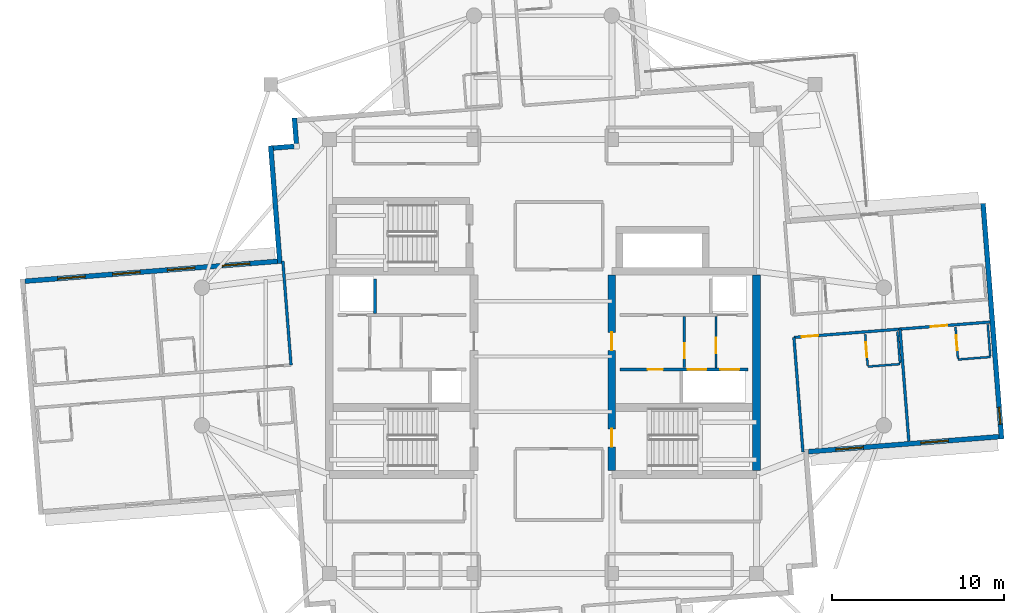
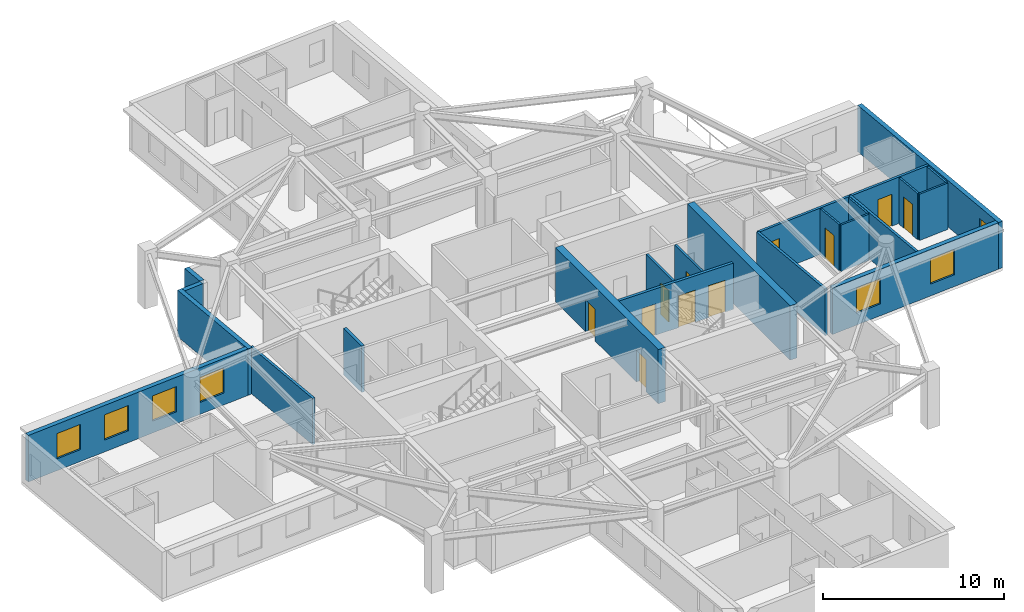
# One storey, part 6 of 13: 22 walls, 11 doors, 7 windows, 18 openings.
"""IFC4 building model written with IfcOpenShell, lengths in metres."""

from ifc_helpers import new_model, si_unit, direction, frame, frame_2d, origin, place, context, subcontext, project, spatial, rectangle, extrude, material, layer, layer_set, type_object, element, fill, save


model = new_model("IFC4")

# Units and contexts
model_context = context("Model", 3, precision=1e-05, world=origin(), true_north=direction((0.0, 1.0)))
body_context = subcontext(model_context, "Body", "Model", "MODEL_VIEW")
ifc_project = project(units=[si_unit("LENGTHUNIT", "METRE"), si_unit("AREAUNIT", "SQUARE_METRE"), si_unit("VOLUMEUNIT", "CUBIC_METRE"), si_unit("PLANEANGLEUNIT", "RADIAN"), si_unit("MASSUNIT", "GRAM", prefix="KILO")], contexts=[model_context])

# Site, building, storey
site_placement = place(None, origin())
site = spatial("IfcSite", under=ifc_project, at=site_placement, CompositionType="ELEMENT")
building_placement = place(site_placement, origin())
building = spatial("IfcBuilding", under=site, at=building_placement, Name="Qingluan Cross Belvedere", CompositionType="ELEMENT")
storey_placement = place(building_placement, frame((0.0, 0.0, 285.0)))
storey = spatial("IfcBuildingStorey", under=building, at=storey_placement, Name="L71", CompositionType="ELEMENT", Elevation=285.0)

# Wall, openings, doors
ifc_material_1 = material(Name="Concrete C50", Category="concrete")
ifc_layer_1 = layer(ifc_material_1, 0.449951171875, Name="CoreShearWall_450")
ifc_layer_set_1 = layer_set([ifc_layer_1], Name="Concrete C50")
wall_type_1 = type_object("IfcWallType", Name="CoreShearWall_450", PredefinedType="SHEAR", material=ifc_layer_set_1)
wall_1_placement = place(storey_placement, frame((4.0, -6.6201171875, 0.0), z_axis=(0.0, 0.0, 1.0), x_axis=(0.0, 1.0, 0.0)))
wall_1 = element("IfcWall", 1, at=wall_1_placement, inside=storey, type_object=wall_type_1, Name="Split core E shear wall L71-W", PredefinedType="SHEAR", context=body_context, shape_type="SweptSolid", body=[
    extrude(rectangle(XDim=11.340087890625, YDim=0.449951171875, at=frame_2d((5.669921875, 0.0))), origin(), (0.0, 0.0, 1.0), 3.64990234375),
])
opening_1_placement = place(wall_1_placement, frame((1.3701171875, 0.0, 0.0)))
opening_1 = element("IfcOpeningElement", 2, at=opening_1_placement, cuts=wall_1, Name="Opening FD-B11", PredefinedType="OPENING", context=body_context, shape_type="SweptSolid", body=[
    extrude(rectangle(XDim=1.050048828125, YDim=2.14990234375, at=frame_2d((0.52490234375, 1.074951171875))), frame((0.0, 0.23486328125, 0.0), z_axis=(0.0, -1.0, 0.0), x_axis=(1.0, 0.0, 0.0)), (0.0, 0.0, 1.0), 0.469970703125),
])
opening_2_placement = place(wall_1_placement, frame((6.969970703125, 0.0, 0.0)))
opening_2 = element("IfcOpeningElement", 3, at=opening_2_placement, cuts=wall_1, Name="Opening FD-B11", PredefinedType="OPENING", context=body_context, shape_type="SweptSolid", body=[
    extrude(rectangle(XDim=1.050048828125, YDim=2.14990234375, at=frame_2d((0.52490234375, 1.074951171875))), frame((0.0, 0.23486328125, 0.0), z_axis=(0.0, -1.0, 0.0), x_axis=(1.0, 0.0, 0.0)), (0.0, 0.0, 1.0), 0.469970703125),
])
ifc_material_2 = material(Name="Steel Class B smoke-seal fire door", Category="steel")
door_type_1 = type_object("IfcDoorType", Name="StairLobbyFireDoor_FDB", OperationType="NOTDEFINED", PredefinedType="DOOR", material=ifc_material_2)
door_1_placement = place(opening_1_placement, origin())
door_1 = element("IfcDoor", 4, at=door_1_placement, inside=storey, type_object=door_type_1, Name="Smoke-proof stair ST2 fire door L71", OperationType="SINGLE_SWING_RIGHT", OverallHeight=2.14990234375, OverallWidth=1.050048828125, PredefinedType="DOOR", context=body_context, shape_type="SweptSolid", body=[
    extrude(rectangle(XDim=1.050048828125, YDim=2.14990234375, at=frame_2d((0.52490234375, 1.074951171875))), frame((0.0, 0.02490234375, 0.0), z_axis=(0.0, -1.0, 0.0), x_axis=(1.0, 0.0, 0.0)), (0.0, 0.0, 1.0), 0.050048828125),
])
fill(opening_1, door_1)
door_2_placement = place(opening_2_placement, origin())
door_2 = element("IfcDoor", 5, at=door_2_placement, inside=storey, type_object=door_type_1, Name="Firefighting lobby East fire door L71", OperationType="SINGLE_SWING_RIGHT", OverallHeight=2.14990234375, OverallWidth=1.050048828125, PredefinedType="DOOR", context=body_context, shape_type="SweptSolid", body=[
    extrude(rectangle(XDim=1.050048828125, YDim=2.14990234375, at=frame_2d((0.52490234375, 1.074951171875))), frame((0.0, 0.02490234375, 0.0), z_axis=(0.0, -1.0, 0.0), x_axis=(1.0, 0.0, 0.0)), (0.0, 0.0, 1.0), 0.050048828125),
])
fill(opening_2, door_2)

# Wall
wall_2_placement = place(storey_placement, frame((12.39990234375, -6.6201171875, 0.0), z_axis=(0.0, 0.0, 1.0), x_axis=(0.0, 1.0, 0.0)))
element("IfcWall", 6, at=wall_2_placement, inside=storey, type_object=wall_type_1, Name="Split core E shear wall L71-E", PredefinedType="SHEAR", context=body_context, shape_type="SweptSolid", body=[
    extrude(rectangle(XDim=11.340087890625, YDim=0.449951171875, at=frame_2d((5.669921875, 0.0))), origin(), (0.0, 0.0, 1.0), 3.64990234375),
])

# Wall, opening, door
ifc_material_3 = material(Name="Gypsum plasterboard on steel stud acoustic partition", Category="steel")
ifc_layer_2 = layer(ifc_material_3, 0.159912109375, Name="CorridorPartition_160")
ifc_layer_set_2 = layer_set([ifc_layer_2], Name="Gypsum plasterboard on steel stud acoustic partition")
wall_type_2 = type_object("IfcWallType", Name="CorridorPartition_160", PredefinedType="PARTITIONING", material=ifc_layer_set_2)
wall_3_placement = place(storey_placement, frame((10.050048828125, -0.652099609375, 0.0), z_axis=(0.0, 0.0, 1.0), x_axis=(0.0, 1.0, 0.0)))
wall_3 = element("IfcWall", 7, at=wall_3_placement, inside=storey, type_object=wall_type_2, Name="Partition L71:ev", PredefinedType="PARTITIONING", context=body_context, shape_type="SweptSolid", body=[
    extrude(rectangle(XDim=2.962158203125, YDim=0.139892578125, at=frame_2d((1.48095703125, 0.0))), origin(), (0.0, 0.0, 1.0), 3.1201171875),
])
opening_3_placement = place(wall_3_placement, frame((0.85009765625, 0.0, 0.0)))
opening_3 = element("IfcOpeningElement", 8, at=opening_3_placement, cuts=wall_3, Name="Opening FD-B10", PredefinedType="OPENING", context=body_context, shape_type="SweptSolid", body=[
    extrude(rectangle(XDim=0.8798828125, YDim=2.10009765625, at=frame_2d((0.43994140625, 1.050048828125))), frame((0.0, 0.079833984375, 0.0), z_axis=(0.0, -1.0, 0.0), x_axis=(1.0, 0.0, 0.0)), (0.0, 0.0, 1.0), 0.159912109375),
])
ifc_material_4 = material(Name="Steel Class B service fire door", Category="steel")
door_type_2 = type_object("IfcDoorType", Name="RiserServiceFireDoor_FDB", OperationType="NOTDEFINED", PredefinedType="DOOR", material=ifc_material_4)
door_3_placement = place(opening_3_placement, origin())
door_3 = element("IfcDoor", 9, at=door_3_placement, inside=storey, type_object=door_type_2, Name="Service closet inner door L71", OperationType="SINGLE_SWING_LEFT", OverallHeight=2.10009765625, OverallWidth=0.8798828125, PredefinedType="DOOR", context=body_context, shape_type="SweptSolid", body=[
    extrude(rectangle(XDim=0.8798828125, YDim=2.10009765625, at=frame_2d((0.43994140625, 1.050048828125))), frame((0.0, 0.02490234375, 0.0), z_axis=(0.0, -1.0, 0.0), x_axis=(1.0, 0.0, 0.0)), (0.0, 0.0, 1.0), 0.050048828125),
])
fill(opening_3, door_3)

# Wall, openings, doors
wall_4_placement = place(storey_placement, frame((14.578125, 1.107177734375, 0.0), z_axis=(0.0, 0.0, 1.0), x_axis=(0.996916364518, 0.078471409795, 0.0)))
wall_4 = element("IfcWall", 10, at=wall_4_placement, inside=storey, type_object=wall_type_2, Name="Partition L71:E:c1", PredefinedType="PARTITIONING", context=body_context, shape_type="SweptSolid", body=[
    extrude(rectangle(XDim=11.411865234375, YDim=0.159912109375, at=frame_2d((5.7060546875, 0.0))), origin(), (0.0, 0.0, 1.0), 3.1201171875),
])
opening_4_placement = place(wall_4_placement, frame((0.449951171875, 0.0, 0.0)))
opening_4 = element("IfcOpeningElement", 11, at=opening_4_placement, cuts=wall_4, Name="Opening GD-10", PredefinedType="OPENING", context=body_context, shape_type="SweptSolid", body=[
    extrude(rectangle(XDim=0.9599609375, YDim=2.14990234375, at=frame_2d((0.47998046875, 1.074951171875))), frame((0.0, 0.08984375, 0.0), z_axis=(0.0, -1.0, 0.0), x_axis=(1.0, 0.0, 0.0)), (0.0, 0.0, 1.0), 0.179931640625),
])
opening_5_placement = place(wall_4_placement, frame((7.97412109375, 0.0, 0.0)))
opening_5 = element("IfcOpeningElement", 12, at=opening_5_placement, cuts=wall_4, Name="Opening GD-10", PredefinedType="OPENING", context=body_context, shape_type="SweptSolid", body=[
    extrude(rectangle(XDim=0.9599609375, YDim=2.14990234375, at=frame_2d((0.47998046875, 1.074951171875))), frame((0.0, 0.08984375, 0.0), z_axis=(0.0, -1.0, 0.0), x_axis=(1.0, 0.0, 0.0)), (0.0, 0.0, 1.0), 0.179931640625),
])
ifc_material_5 = material(Name="Timber oak fire-rated acoustic guestroom door", Category="wood")
door_type_3 = type_object("IfcDoorType", Name="GuestEntryDoor_FD60", OperationType="NOTDEFINED", PredefinedType="DOOR", material=ifc_material_5)
door_4_placement = place(opening_4_placement, origin())
door_4 = element("IfcDoor", 13, at=door_4_placement, inside=storey, type_object=door_type_3, Name="Guest entry fire door 7103", OperationType="SINGLE_SWING_RIGHT", OverallHeight=2.14990234375, OverallWidth=0.9599609375, PredefinedType="DOOR", context=body_context, shape_type="SweptSolid", body=[
    extrude(rectangle(XDim=0.9599609375, YDim=2.14990234375, at=frame_2d((0.47998046875, 1.074951171875))), frame((0.0, 0.02490234375, 0.0), z_axis=(0.0, -1.0, 0.0), x_axis=(1.0, 0.0, 0.0)), (0.0, 0.0, 1.0), 0.050048828125),
])
fill(opening_4, door_4)
door_5_placement = place(opening_5_placement, origin())
door_5 = element("IfcDoor", 14, at=door_5_placement, inside=storey, type_object=door_type_3, Name="Guest entry fire door 7104", OperationType="SINGLE_SWING_RIGHT", OverallHeight=2.14990234375, OverallWidth=0.9599609375, PredefinedType="DOOR", context=body_context, shape_type="SweptSolid", body=[
    extrude(rectangle(XDim=0.9599609375, YDim=2.14990234375, at=frame_2d((0.47998046875, 1.074951171875))), frame((0.0, 0.02490234375, 0.0), z_axis=(0.0, -1.0, 0.0), x_axis=(1.0, 0.0, 0.0)), (0.0, 0.0, 1.0), 0.050048828125),
])
fill(opening_5, door_5)

# Walls
wall_5_placement = place(storey_placement, frame((14.578125, 1.107177734375, 0.0), z_axis=(0.0, 0.0, 1.0), x_axis=(0.07846830514, -0.996916608894, 0.0)))
element("IfcWall", 15, at=wall_5_placement, inside=storey, type_object=wall_type_2, Name="Partition L71:E:s1", PredefinedType="PARTITIONING", context=body_context, shape_type="SweptSolid", body=[
    extrude(rectangle(XDim=6.679931640625, YDim=0.159912109375, at=frame_2d((3.33984375, 0.0))), origin(), (0.0, 0.0, 1.0), 3.1201171875),
])
wall_6_placement = place(storey_placement, frame((20.739013671875, 1.592041015625, 0.0), z_axis=(0.0, 0.0, 1.0), x_axis=(0.078451271919, -0.996917949449, 0.0)))
element("IfcWall", 16, at=wall_6_placement, inside=storey, type_object=wall_type_2, Name="Partition L71:E:d1_0", PredefinedType="PARTITIONING", context=body_context, shape_type="SweptSolid", body=[
    extrude(rectangle(XDim=6.531982421875, YDim=0.159912109375, at=frame_2d((3.26611328125, 0.0))), origin(), (0.0, 0.0, 1.0), 3.1201171875),
])
wall_7_placement = place(storey_placement, frame((-14.626708984375, -0.489013671875, 0.0), z_axis=(0.0, 0.0, 1.0), x_axis=(-0.078480167113, 0.996915675155, 0.0)))
element("IfcWall", 17, at=wall_7_placement, inside=storey, type_object=wall_type_2, Name="Partition L71:W:s0", PredefinedType="PARTITIONING", context=body_context, shape_type="SweptSolid", body=[
    extrude(rectangle(XDim=6.06005859375, YDim=0.159912109375, at=frame_2d((3.030029296875, 0.0))), origin(), (0.0, 0.0, 1.0), 3.1201171875),
])

# Wall, opening, door
ifc_material_6 = material(Name="Moisture-resistant gypsum board lining")
ifc_layer_3 = layer(ifc_material_6, 0.1201171875, Name="EnsuiteWetPartition_120")
ifc_layer_set_3 = layer_set([ifc_layer_3], Name="Moisture-resistant gypsum board lining")
wall_type_3 = type_object("IfcWallType", Name="EnsuiteWetPartition_120", PredefinedType="PARTITIONING", material=ifc_layer_set_3)
wall_8_placement = place(storey_placement, frame((18.859130859375, -0.52197265625, 0.0), z_axis=(0.0, 0.0, 1.0), x_axis=(-0.0784709492, 0.996916400774, 0.0)))
wall_8 = element("IfcWall", 18, at=wall_8_placement, inside=storey, type_object=wall_type_3, Name="Partition L71:E:bs1_0", PredefinedType="PARTITIONING", context=body_context, shape_type="SweptSolid", body=[
    extrude(rectangle(XDim=1.820068359375, YDim=0.1201171875, at=frame_2d((0.91015625, 0.0))), origin(), (0.0, 0.0, 1.0), 3.1201171875),
])
opening_6_placement = place(wall_8_placement, frame((0.469970703125, 0.0, 0.0)))
opening_6 = element("IfcOpeningElement", 19, at=opening_6_placement, cuts=wall_8, Name="Opening BD-09", PredefinedType="OPENING", context=body_context, shape_type="SweptSolid", body=[
    extrude(rectangle(XDim=0.8798828125, YDim=2.10009765625, at=frame_2d((0.43994140625, 1.050048828125))), frame((0.0, 0.070068359375, 0.0), z_axis=(0.0, -1.0, 0.0), x_axis=(1.0, 0.0, 0.0)), (0.0, 0.0, 1.0), 0.14013671875),
])
ifc_material_7 = material(Name="Moisture-sealed timber en-suite door", Category="wood")
door_type_4 = type_object("IfcDoorType", Name="BathroomDoor_880", OperationType="NOTDEFINED", PredefinedType="DOOR", material=ifc_material_7)
door_6_placement = place(opening_6_placement, origin())
door_6 = element("IfcDoor", 20, at=door_6_placement, inside=storey, type_object=door_type_4, Name="Bathroom door 7103", OperationType="SINGLE_SWING_LEFT", OverallHeight=2.10009765625, OverallWidth=0.8798828125, PredefinedType="DOOR", context=body_context, shape_type="SweptSolid", body=[
    extrude(rectangle(XDim=0.8798828125, YDim=2.10009765625, at=frame_2d((0.43994140625, 1.050048828125))), frame((0.0, 0.02490234375, 0.0), z_axis=(0.0, -1.0, 0.0), x_axis=(1.0, 0.0, 0.0)), (0.0, 0.0, 1.0), 0.050048828125),
])
fill(opening_6, door_6)

# Walls
wall_9_placement = place(storey_placement, frame((20.7333984375, -0.37451171875, 0.0), z_axis=(0.0, 0.0, 1.0), x_axis=(-0.0784709492, 0.996916400774, 0.0)))
element("IfcWall", 21, at=wall_9_placement, inside=storey, type_object=wall_type_3, Name="Partition L71:E:bw1_0", PredefinedType="PARTITIONING", context=body_context, shape_type="SweptSolid", body=[
    extrude(rectangle(XDim=1.820068359375, YDim=0.1201171875, at=frame_2d((0.91015625, 0.0))), origin(), (0.0, 0.0, 1.0), 3.1201171875),
])
wall_10_placement = place(storey_placement, frame((18.8642578125, -0.586669921875, 0.0), z_axis=(0.0, 0.0, 1.0), x_axis=(0.99691849475, 0.078444342213, 0.0)))
element("IfcWall", 22, at=wall_10_placement, inside=storey, type_object=wall_type_3, Name="Partition L71:E:bc1_0", PredefinedType="PARTITIONING", context=body_context, shape_type="SweptSolid", body=[
    extrude(rectangle(XDim=1.8798828125, YDim=0.1201171875, at=frame_2d((0.93994140625, 0.0))), origin(), (0.0, 0.0, 1.0), 3.1201171875),
])

# Wall, opening, door
wall_11_placement = place(storey_placement, frame((24.102783203125, -0.109130859375, 0.0), z_axis=(0.0, 0.0, 1.0), x_axis=(-0.078348112001, 0.996926062126, 0.0)))
wall_11 = element("IfcWall", 23, at=wall_11_placement, inside=storey, type_object=wall_type_3, Name="Partition L71:E:bs1_1", PredefinedType="PARTITIONING", context=body_context, shape_type="SweptSolid", body=[
    extrude(rectangle(XDim=1.81982421875, YDim=0.1201171875, at=frame_2d((0.909912109375, 0.0))), origin(), (0.0, 0.0, 1.0), 3.1201171875),
])
opening_7_placement = place(wall_11_placement, frame((0.469970703125, 0.0, 0.0)))
opening_7 = element("IfcOpeningElement", 24, at=opening_7_placement, cuts=wall_11, Name="Opening BD-09", PredefinedType="OPENING", context=body_context, shape_type="SweptSolid", body=[
    extrude(rectangle(XDim=0.8798828125, YDim=2.10009765625, at=frame_2d((0.43994140625, 1.050048828125))), frame((0.0, 0.070068359375, 0.0), z_axis=(0.0, -1.0, 0.0), x_axis=(1.0, 0.0, 0.0)), (0.0, 0.0, 1.0), 0.14013671875),
])
door_7_placement = place(opening_7_placement, origin())
door_7 = element("IfcDoor", 25, at=door_7_placement, inside=storey, type_object=door_type_4, Name="Bathroom door 7104", OperationType="SINGLE_SWING_LEFT", OverallHeight=2.10009765625, OverallWidth=0.8798828125, PredefinedType="DOOR", context=body_context, shape_type="SweptSolid", body=[
    extrude(rectangle(XDim=0.8798828125, YDim=2.10009765625, at=frame_2d((0.43994140625, 1.050048828125))), frame((0.0, 0.02490234375, 0.0), z_axis=(0.0, -1.0, 0.0), x_axis=(1.0, 0.0, 0.0)), (0.0, 0.0, 1.0), 0.050048828125),
])
fill(opening_7, door_7)

# Walls
wall_12_placement = place(storey_placement, frame((25.97705078125, 0.038330078125, 0.0), z_axis=(0.0, 0.0, 1.0), x_axis=(-0.078481444107, 0.996915574626, 0.0)))
element("IfcWall", 26, at=wall_12_placement, inside=storey, type_object=wall_type_3, Name="Partition L71:E:bw1_1", PredefinedType="PARTITIONING", context=body_context, shape_type="SweptSolid", body=[
    extrude(rectangle(XDim=1.81982421875, YDim=0.1201171875, at=frame_2d((0.909912109375, 0.0))), origin(), (0.0, 0.0, 1.0), 3.1201171875),
])
wall_13_placement = place(storey_placement, frame((24.10791015625, -0.174072265625, 0.0), z_axis=(0.0, 0.0, 1.0), x_axis=(0.996919293781, 0.07843418698, 0.0)))
element("IfcWall", 27, at=wall_13_placement, inside=storey, type_object=wall_type_3, Name="Partition L71:E:bc1_1", PredefinedType="PARTITIONING", context=body_context, shape_type="SweptSolid", body=[
    extrude(rectangle(XDim=1.880126953125, YDim=0.1201171875, at=frame_2d((0.93994140625, 0.0))), origin(), (0.0, 0.0, 1.0), 3.1201171875),
])

# Wall, openings, windows
ifc_material_8 = material(Name="Precast concrete C45", Category="concrete")
ifc_layer_4 = layer(ifc_material_8, 0.280029296875, Name="PrecastFacadeWall_280")
ifc_layer_set_4 = layer_set([ifc_layer_4], Name="Precast concrete C45")
wall_type_4 = type_object("IfcWallType", Name="PrecastFacadeWall_280", PredefinedType="STANDARD", material=ifc_layer_set_4)
wall_14_placement = place(storey_placement, frame((15.421142578125, -5.527099609375, 0.0), z_axis=(0.0, 0.0, 1.0), x_axis=(0.996917735529, 0.078453990262, 0.0)))
wall_14 = element("IfcWall", 28, at=wall_14_placement, inside=storey, type_object=wall_type_4, Name="Facade wall L71-EA", PredefinedType="STANDARD", context=body_context, shape_type="SweptSolid", body=[
    extrude(rectangle(XDim=11.10009765625, YDim=0.280029296875, at=frame_2d((5.550048828125, 0.0))), origin(), (0.0, 0.0, 1.0), 3.1298828125),
])
opening_8_placement = place(wall_14_placement, frame((1.60009765625, 0.0, 0.800048828125)))
opening_8 = element("IfcOpeningElement", 29, at=opening_8_placement, cuts=wall_14, Name="Opening W-04", PredefinedType="OPENING", context=body_context, shape_type="SweptSolid", body=[
    extrude(rectangle(XDim=1.60009765625, YDim=1.699951171875, at=frame_2d((0.800048828125, 0.85009765625))), frame((0.0, 0.14990234375, 0.0), z_axis=(0.0, -1.0, 0.0), x_axis=(1.0, 0.0, 0.0)), (0.0, 0.0, 1.0), 0.300048828125),
])
opening_9_placement = place(wall_14_placement, frame((6.550048828125, 0.0, 0.800048828125)))
opening_9 = element("IfcOpeningElement", 30, at=opening_9_placement, cuts=wall_14, Name="Opening W-04", PredefinedType="OPENING", context=body_context, shape_type="SweptSolid", body=[
    extrude(rectangle(XDim=1.60009765625, YDim=1.699951171875, at=frame_2d((0.800048828125, 0.85009765625))), frame((0.0, 0.14990234375, 0.0), z_axis=(0.0, -1.0, 0.0), x_axis=(1.0, 0.0, 0.0)), (0.0, 0.0, 1.0), 0.300048828125),
])
ifc_material_9 = material(Name="Thermally broken triple Low-E glass in aluminium frame", Category="aluminium")
window_type_1 = type_object("IfcWindowType", Name="SuiteCornerWin_1600x1700", PartitioningType="SINGLE_PANEL", PredefinedType="WINDOW", material=ifc_material_9)
window_1_placement = place(opening_8_placement, origin())
window_1 = element("IfcWindow", 31, at=window_1_placement, inside=storey, type_object=window_type_1, Name="Ribbon window L71-EA-1", OverallHeight=1.699951171875, OverallWidth=1.60009765625, PartitioningType="SINGLE_PANEL", PredefinedType="WINDOW", context=body_context, shape_type="SweptSolid", body=[
    extrude(rectangle(XDim=1.60009765625, YDim=1.699951171875, at=frame_2d((0.800048828125, 0.85009765625))), frame((0.0, 0.030029296875, 0.0), z_axis=(0.0, -1.0, 0.0), x_axis=(1.0, 0.0, 0.0)), (0.0, 0.0, 1.0), 0.06005859375),
])
fill(opening_8, window_1)
window_2_placement = place(opening_9_placement, origin())
window_2 = element("IfcWindow", 32, at=window_2_placement, inside=storey, type_object=window_type_1, Name="Ribbon window L71-EA-2", OverallHeight=1.699951171875, OverallWidth=1.60009765625, PartitioningType="SINGLE_PANEL", PredefinedType="WINDOW", context=body_context, shape_type="SweptSolid", body=[
    extrude(rectangle(XDim=1.60009765625, YDim=1.699951171875, at=frame_2d((0.800048828125, 0.85009765625))), frame((0.0, 0.030029296875, 0.0), z_axis=(0.0, -1.0, 0.0), x_axis=(1.0, 0.0, 0.0)), (0.0, 0.0, 1.0), 0.06005859375),
])
fill(opening_9, window_2)

# Wall, opening, window
wall_15_placement = place(storey_placement, frame((26.637451171875, -4.784912109375, 0.0), z_axis=(0.0, 0.0, 1.0), x_axis=(-0.078455834216, 0.996917590414, 0.0)))
wall_15 = element("IfcWall", 33, at=wall_15_placement, inside=storey, type_object=wall_type_4, Name="Arm tip precast facade wall L71-E", PredefinedType="STANDARD", context=body_context, shape_type="SweptSolid", body=[
    extrude(rectangle(XDim=13.719970703125, YDim=0.280029296875, at=frame_2d((6.85986328125, 0.0))), origin(), (0.0, 0.0, 1.0), 3.1298828125),
])
opening_10_placement = place(wall_15_placement, frame((0.85009765625, 0.0, 0.85009765625)))
opening_10 = element("IfcOpeningElement", 34, at=opening_10_placement, cuts=wall_15, Name="Opening W-03", PredefinedType="OPENING", context=body_context, shape_type="SweptSolid", body=[
    extrude(rectangle(XDim=1.0, YDim=1.5, at=frame_2d((0.5, 0.75))), frame((0.0, 0.14990234375, 0.0), z_axis=(0.0, -1.0, 0.0), x_axis=(1.0, 0.0, 0.0)), (0.0, 0.0, 1.0), 0.300048828125),
])
ifc_material_10 = material(Name="Thermally broken triple Low-E glass in aluminium frame", Category="aluminium")
window_type_2 = type_object("IfcWindowType", Name="TriApexWin_1000x1500", PartitioningType="SINGLE_PANEL", PredefinedType="WINDOW", material=ifc_material_10)
window_3_placement = place(opening_10_placement, origin())
window_3 = element("IfcWindow", 35, at=window_3_placement, inside=storey, type_object=window_type_2, Name="Arm tip triangular window L71-E", OverallHeight=1.5, OverallWidth=1.0, PartitioningType="SINGLE_PANEL", PredefinedType="WINDOW", context=body_context, shape_type="SweptSolid", body=[
    extrude(rectangle(XDim=1.0, YDim=1.5, at=frame_2d((0.5, 0.75))), frame((0.0, 0.030029296875, 0.0), z_axis=(0.0, -1.0, 0.0), x_axis=(1.0, 0.0, 0.0)), (0.0, 0.0, 1.0), 0.06005859375),
])
fill(opening_10, window_3)

# Wall, openings, windows
wall_16_placement = place(storey_placement, frame((-15.421142578125, 5.527099609375, 0.0), z_axis=(0.0, 0.0, 1.0), x_axis=(-0.996917526837, -0.078456642068, 0.0)))
wall_16 = element("IfcWall", 36, at=wall_16_placement, inside=storey, type_object=wall_type_4, Name="Facade wall L71-WA", PredefinedType="STANDARD", context=body_context, shape_type="SweptSolid", body=[
    extrude(rectangle(XDim=14.7001953125, YDim=0.280029296875, at=frame_2d((7.35009765625, 0.0))), origin(), (0.0, 0.0, 1.0), 3.1298828125),
])
opening_11_placement = place(wall_16_placement, frame((1.60009765625, 0.0, 0.800048828125)))
opening_11 = element("IfcOpeningElement", 37, at=opening_11_placement, cuts=wall_16, Name="Opening W-04", PredefinedType="OPENING", context=body_context, shape_type="SweptSolid", body=[
    extrude(rectangle(XDim=1.60009765625, YDim=1.699951171875, at=frame_2d((0.800048828125, 0.85009765625))), frame((0.0, 0.14990234375, 0.0), z_axis=(0.0, -1.0, 0.0), x_axis=(1.0, 0.0, 0.0)), (0.0, 0.0, 1.0), 0.300048828125),
])
opening_12_placement = place(wall_16_placement, frame((4.800048828125, 0.0, 0.800048828125)))
opening_12 = element("IfcOpeningElement", 38, at=opening_12_placement, cuts=wall_16, Name="Opening W-04", PredefinedType="OPENING", context=body_context, shape_type="SweptSolid", body=[
    extrude(rectangle(XDim=1.60009765625, YDim=1.699951171875, at=frame_2d((0.800048828125, 0.85009765625))), frame((0.0, 0.14990234375, 0.0), z_axis=(0.0, -1.0, 0.0), x_axis=(1.0, 0.0, 0.0)), (0.0, 0.0, 1.0), 0.300048828125),
])
opening_13_placement = place(wall_16_placement, frame((8.0, 0.0, 0.800048828125)))
opening_13 = element("IfcOpeningElement", 39, at=opening_13_placement, cuts=wall_16, Name="Opening W-04", PredefinedType="OPENING", context=body_context, shape_type="SweptSolid", body=[
    extrude(rectangle(XDim=1.60009765625, YDim=1.699951171875, at=frame_2d((0.800048828125, 0.85009765625))), frame((0.0, 0.14990234375, 0.0), z_axis=(0.0, -1.0, 0.0), x_axis=(1.0, 0.0, 0.0)), (0.0, 0.0, 1.0), 0.300048828125),
])
opening_14_placement = place(wall_16_placement, frame((11.199951171875, 0.0, 0.800048828125)))
opening_14 = element("IfcOpeningElement", 40, at=opening_14_placement, cuts=wall_16, Name="Opening W-04", PredefinedType="OPENING", context=body_context, shape_type="SweptSolid", body=[
    extrude(rectangle(XDim=1.60009765625, YDim=1.699951171875, at=frame_2d((0.800048828125, 0.85009765625))), frame((0.0, 0.14990234375, 0.0), z_axis=(0.0, -1.0, 0.0), x_axis=(1.0, 0.0, 0.0)), (0.0, 0.0, 1.0), 0.300048828125),
])
window_4_placement = place(opening_11_placement, origin())
window_4 = element("IfcWindow", 41, at=window_4_placement, inside=storey, type_object=window_type_1, Name="Ribbon window L71-WA-1", OverallHeight=1.699951171875, OverallWidth=1.60009765625, PartitioningType="SINGLE_PANEL", PredefinedType="WINDOW", context=body_context, shape_type="SweptSolid", body=[
    extrude(rectangle(XDim=1.60009765625, YDim=1.699951171875, at=frame_2d((0.800048828125, 0.85009765625))), frame((0.0, 0.030029296875, 0.0), z_axis=(0.0, -1.0, 0.0), x_axis=(1.0, 0.0, 0.0)), (0.0, 0.0, 1.0), 0.06005859375),
])
fill(opening_11, window_4)
window_5_placement = place(opening_12_placement, origin())
window_5 = element("IfcWindow", 42, at=window_5_placement, inside=storey, type_object=window_type_1, Name="Ribbon window L71-WA-2", OverallHeight=1.699951171875, OverallWidth=1.60009765625, PartitioningType="SINGLE_PANEL", PredefinedType="WINDOW", context=body_context, shape_type="SweptSolid", body=[
    extrude(rectangle(XDim=1.60009765625, YDim=1.699951171875, at=frame_2d((0.800048828125, 0.85009765625))), frame((0.0, 0.030029296875, 0.0), z_axis=(0.0, -1.0, 0.0), x_axis=(1.0, 0.0, 0.0)), (0.0, 0.0, 1.0), 0.06005859375),
])
fill(opening_12, window_5)
window_6_placement = place(opening_13_placement, origin())
window_6 = element("IfcWindow", 43, at=window_6_placement, inside=storey, type_object=window_type_1, Name="Ribbon window L71-WA-3", OverallHeight=1.699951171875, OverallWidth=1.60009765625, PartitioningType="SINGLE_PANEL", PredefinedType="WINDOW", context=body_context, shape_type="SweptSolid", body=[
    extrude(rectangle(XDim=1.60009765625, YDim=1.699951171875, at=frame_2d((0.800048828125, 0.85009765625))), frame((0.0, 0.030029296875, 0.0), z_axis=(0.0, -1.0, 0.0), x_axis=(1.0, 0.0, 0.0)), (0.0, 0.0, 1.0), 0.06005859375),
])
fill(opening_13, window_6)
window_7_placement = place(opening_14_placement, origin())
window_7 = element("IfcWindow", 44, at=window_7_placement, inside=storey, type_object=window_type_1, Name="Ribbon window L71-WA-4", OverallHeight=1.699951171875, OverallWidth=1.60009765625, PartitioningType="SINGLE_PANEL", PredefinedType="WINDOW", context=body_context, shape_type="SweptSolid", body=[
    extrude(rectangle(XDim=1.60009765625, YDim=1.699951171875, at=frame_2d((0.800048828125, 0.85009765625))), frame((0.0, 0.030029296875, 0.0), z_axis=(0.0, -1.0, 0.0), x_axis=(1.0, 0.0, 0.0)), (0.0, 0.0, 1.0), 0.06005859375),
])
fill(opening_14, window_7)

# Walls
wall_17_placement = place(storey_placement, frame((-15.2705078125, 5.3984375, 0.0), z_axis=(0.0, 0.0, 1.0), x_axis=(-0.078473519122, 0.996916198482, 0.0)))
element("IfcWall", 45, at=wall_17_placement, inside=storey, type_object=wall_type_4, Name="Corner wall L71-NW1", PredefinedType="STANDARD", context=body_context, shape_type="SweptSolid", body=[
    extrude(rectangle(XDim=6.860107421875, YDim=0.280029296875, at=frame_2d((3.43017578125, 0.0))), origin(), (0.0, 0.0, 1.0), 3.1298828125),
])
wall_18_placement = place(storey_placement, frame((-15.658203125, 12.10888671875, 0.0), z_axis=(0.0, 0.0, 1.0), x_axis=(0.996917540398, 0.078456469752, 0.0)))
element("IfcWall", 46, at=wall_18_placement, inside=storey, type_object=wall_type_4, Name="Corner wall L71-NW2", PredefinedType="STANDARD", context=body_context, shape_type="SweptSolid", body=[
    extrude(rectangle(XDim=1.2197265625, YDim=0.280029296875, at=frame_2d((0.60986328125, 0.0))), origin(), (0.0, 0.0, 1.0), 3.1298828125),
])
wall_19_placement = place(storey_placement, frame((-14.3134765625, 12.35498046875, 0.0), z_axis=(0.0, 0.0, 1.0), x_axis=(-0.078451338629, 0.9969179442, 0.0)))
element("IfcWall", 47, at=wall_19_placement, inside=storey, type_object=wall_type_4, Name="Corner wall L71-NW3", PredefinedType="STANDARD", context=body_context, shape_type="SweptSolid", body=[
    extrude(rectangle(XDim=1.5, YDim=0.280029296875, at=frame_2d((0.75, 0.0))), origin(), (0.0, 0.0, 1.0), 3.1298828125),
])

# Wall, openings, doors
ifc_material_11 = material(Name="Concrete C40", Category="concrete")
ifc_layer_5 = layer(ifc_material_11, 0.219970703125, Name="ShaftEnclosureWall_250")
ifc_layer_set_5 = layer_set([ifc_layer_5], Name="Concrete C40")
wall_type_5 = type_object("IfcWallType", Name="ShaftEnclosureWall_250", PredefinedType="SOLIDWALL", material=ifc_layer_set_5)
wall_20_placement = place(storey_placement, frame((4.47998046875, -0.75, 0.0), z_axis=(0.0, 0.0, 1.0), x_axis=(1.0, 0.0, 0.0)))
wall_20 = element("IfcWall", 48, at=wall_20_placement, inside=storey, type_object=wall_type_5, Name="Core-E mid hoistway wall L71", PredefinedType="SOLIDWALL", context=body_context, shape_type="SweptSolid", body=[
    extrude(rectangle(XDim=7.419921875, YDim=0.179931640625, at=frame_2d((3.7099609375, 0.0))), origin(), (0.0, 0.0, 1.0), 3.1201171875),
])
opening_15_placement = place(wall_20_placement, frame((3.919921875, 0.0, 0.0)))
opening_15 = element("IfcOpeningElement", 49, at=opening_15_placement, cuts=wall_20, Name="Opening LD-11", PredefinedType="OPENING", context=body_context, shape_type="SweptSolid", body=[
    extrude(rectangle(XDim=1.10009765625, YDim=2.14990234375, at=frame_2d((0.550048828125, 1.074951171875))), frame((0.0, 0.099853515625, 0.0), z_axis=(0.0, -1.0, 0.0), x_axis=(1.0, 0.0, 0.0)), (0.0, 0.0, 1.0), 0.199951171875),
])
opening_16_placement = place(wall_20_placement, frame((5.820068359375, 0.0, 0.0)))
opening_16 = element("IfcOpeningElement", 50, at=opening_16_placement, cuts=wall_20, Name="Opening LD-11", PredefinedType="OPENING", context=body_context, shape_type="SweptSolid", body=[
    extrude(rectangle(XDim=1.10009765625, YDim=2.14990234375, at=frame_2d((0.550048828125, 1.074951171875))), frame((0.0, 0.099853515625, 0.0), z_axis=(0.0, -1.0, 0.0), x_axis=(1.0, 0.0, 0.0)), (0.0, 0.0, 1.0), 0.199951171875),
])
opening_17_placement = place(wall_20_placement, frame((1.60009765625, 0.0, 0.0)))
opening_17 = element("IfcOpeningElement", 51, at=opening_17_placement, cuts=wall_20, Name="Opening FD-B10", PredefinedType="OPENING", context=body_context, shape_type="SweptSolid", body=[
    extrude(rectangle(XDim=0.8798828125, YDim=2.10009765625, at=frame_2d((0.43994140625, 1.050048828125))), frame((0.0, 0.099853515625, 0.0), z_axis=(0.0, -1.0, 0.0), x_axis=(1.0, 0.0, 0.0)), (0.0, 0.0, 1.0), 0.199951171875),
])
ifc_material_12 = material(Name="Brushed stainless steel centre-opening lift landing door", Category="steel")
door_type_5 = type_object("IfcDoorType", Name="LiftLandingSlidingDoor_1100", OperationType="DOUBLE_DOOR_SLIDING", PredefinedType="DOOR", material=ifc_material_12)
door_8_placement = place(opening_15_placement, origin())
door_8 = element("IfcDoor", 52, at=door_8_placement, inside=storey, type_object=door_type_5, Name="Lift landing sliding door LP9 L71", OperationType="DOUBLE_DOOR_SLIDING", OverallHeight=2.14990234375, OverallWidth=1.10009765625, PredefinedType="DOOR", context=body_context, shape_type="SweptSolid", body=[
    extrude(rectangle(XDim=1.10009765625, YDim=2.14990234375, at=frame_2d((0.550048828125, 1.074951171875))), frame((0.0, 0.02490234375, 0.0), z_axis=(0.0, -1.0, 0.0), x_axis=(1.0, 0.0, 0.0)), (0.0, 0.0, 1.0), 0.050048828125),
])
fill(opening_15, door_8)
door_9_placement = place(opening_16_placement, origin())
door_9 = element("IfcDoor", 53, at=door_9_placement, inside=storey, type_object=door_type_5, Name="Lift landing sliding door LP10 L71", OperationType="DOUBLE_DOOR_SLIDING", OverallHeight=2.14990234375, OverallWidth=1.10009765625, PredefinedType="DOOR", context=body_context, shape_type="SweptSolid", body=[
    extrude(rectangle(XDim=1.10009765625, YDim=2.14990234375, at=frame_2d((0.550048828125, 1.074951171875))), frame((0.0, 0.02490234375, 0.0), z_axis=(0.0, -1.0, 0.0), x_axis=(1.0, 0.0, 0.0)), (0.0, 0.0, 1.0), 0.050048828125),
])
fill(opening_16, door_9)
door_10_placement = place(opening_17_placement, origin())
door_10 = element("IfcDoor", 54, at=door_10_placement, inside=storey, type_object=door_type_2, Name="Upper-zone linen store door L71", OperationType="SINGLE_SWING_LEFT", OverallHeight=2.10009765625, OverallWidth=0.8798828125, PredefinedType="DOOR", context=body_context, shape_type="SweptSolid", body=[
    extrude(rectangle(XDim=0.8798828125, YDim=2.10009765625, at=frame_2d((0.43994140625, 1.050048828125))), frame((0.0, 0.02490234375, 0.0), z_axis=(0.0, -1.0, 0.0), x_axis=(1.0, 0.0, 0.0)), (0.0, 0.0, 1.0), 0.050048828125),
])
fill(opening_17, door_10)

# Wall
wall_21_placement = place(storey_placement, frame((-9.760009765625, 2.5, 0.0), z_axis=(0.0, 0.0, 1.0), x_axis=(0.0, 1.0, 0.0)))
element("IfcWall", 55, at=wall_21_placement, inside=storey, type_object=wall_type_5, Name="Hoistway enclosure divider FL1E L71", PredefinedType="SOLIDWALL", context=body_context, shape_type="SweptSolid", body=[
    extrude(rectangle(XDim=1.989990234375, YDim=0.179931640625, at=frame_2d((0.9951171875, 0.0))), origin(), (0.0, 0.0, 1.0), 3.1201171875),
])

# Wall, opening, door
wall_22_placement = place(storey_placement, frame((8.219970703125, -0.64990234375, 0.0), z_axis=(0.0, 0.0, 1.0), x_axis=(0.0, 1.0, 0.0)))
wall_22 = element("IfcWall", 56, at=wall_22_placement, inside=storey, type_object=wall_type_5, Name="Core-E service corridor wall L71", PredefinedType="SOLIDWALL", context=body_context, shape_type="SweptSolid", body=[
    extrude(rectangle(XDim=2.9599609375, YDim=0.139892578125, at=frame_2d((1.47998046875, 0.0))), origin(), (0.0, 0.0, 1.0), 3.1201171875),
])
opening_18_placement = place(wall_22_placement, frame((0.550048828125, 0.0, 0.0)))
opening_18 = element("IfcOpeningElement", 57, at=opening_18_placement, cuts=wall_22, Name="Opening FD-B10", PredefinedType="OPENING", context=body_context, shape_type="SweptSolid", body=[
    extrude(rectangle(XDim=0.8798828125, YDim=2.10009765625, at=frame_2d((0.43994140625, 1.050048828125))), frame((0.0, 0.079833984375, 0.0), z_axis=(0.0, -1.0, 0.0), x_axis=(1.0, 0.0, 0.0)), (0.0, 0.0, 1.0), 0.159912109375),
])
door_11_placement = place(opening_18_placement, origin())
door_11 = element("IfcDoor", 58, at=door_11_placement, inside=storey, type_object=door_type_2, Name="Core-E service room door L71", OperationType="SINGLE_SWING_LEFT", OverallHeight=2.10009765625, OverallWidth=0.8798828125, PredefinedType="DOOR", context=body_context, shape_type="SweptSolid", body=[
    extrude(rectangle(XDim=0.8798828125, YDim=2.10009765625, at=frame_2d((0.43994140625, 1.050048828125))), frame((0.0, 0.02490234375, 0.0), z_axis=(0.0, -1.0, 0.0), x_axis=(1.0, 0.0, 0.0)), (0.0, 0.0, 1.0), 0.050048828125),
])
fill(opening_18, door_11)

save(model, "model.ifc")
